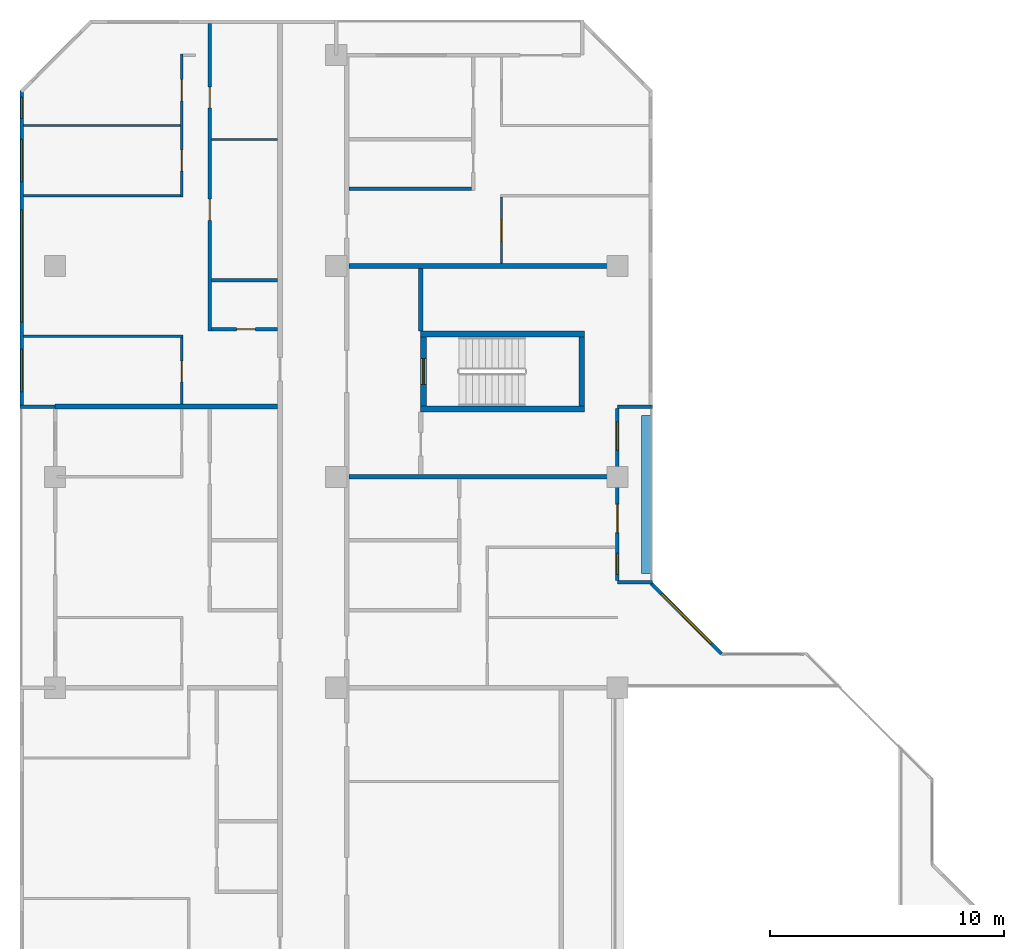
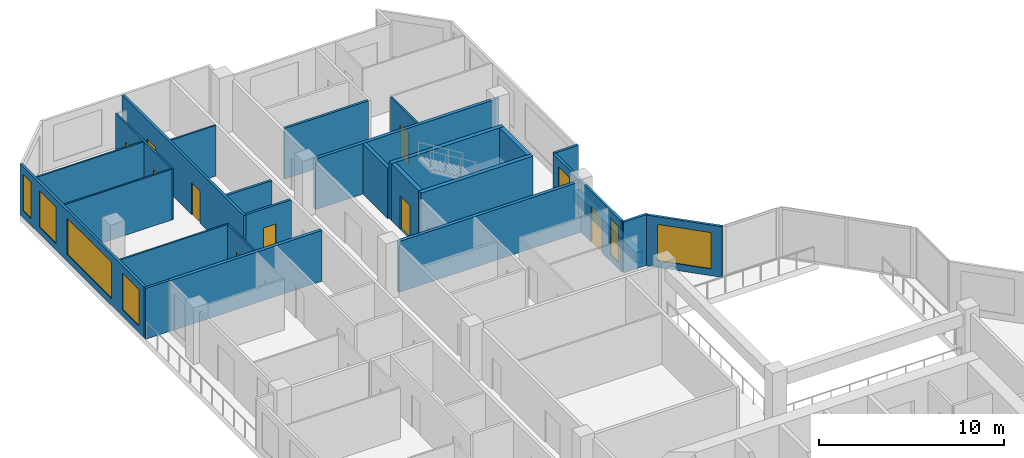
# One storey, part 10 of 15: 26 walls, 9 doors, 7 windows, 16 openings.
"""IFC4 building model written with IfcOpenShell, lengths in metres."""

import ifcopenshell
import ifcopenshell.guid

model = None  # the IFC model being written
_history = None  # IfcOwnerHistory: only IFC2X3 demands one
_inside = {}  # id of a spatial element -> (the spatial element, [elements in it])
_under = {}  # id of a project, library or spatial element -> (it, [spatial elements below it])
_declared = {}  # id of a project -> (the project, [libraries it declares])
_typed = {}  # id of a type object -> (the type object, [elements of that type])
_made_of = {}  # id of a material, layer set ... -> (it, [elements and type objects made of it])


def new_model(schema):
    """Start an empty IFC model of exactly this schema.

    Asked for "IFC4X3", IfcOpenShell would pick the latest addendum, in which some entities
    have other attributes; the version numbers below select the first issue.
    IFC2X3 requires an IfcOwnerHistory on every rooted entity: one is made here for all.
    """
    global model, _history
    if schema == "IFC4X3":
        model = ifcopenshell.file(schema_version=(4, 3, 0, 0))
    else:
        model = ifcopenshell.file(schema=schema)
    _inside.clear()
    _under.clear()
    _declared.clear()
    _typed.clear()
    _made_of.clear()
    _history = None
    if model.schema == "IFC2X3":
        org = make("IfcOrganization", Name="unknown")
        user = make(
            "IfcPersonAndOrganization",
            ThePerson=make("IfcPerson", FamilyName="unknown"),
            TheOrganization=org,
        )
        app = make(
            "IfcApplication",
            ApplicationDeveloper=org,
            Version="unknown",
            ApplicationFullName="unknown",
            ApplicationIdentifier="unknown",
        )
        _history = make(
            "IfcOwnerHistory",
            OwningUser=user,
            OwningApplication=app,
            ChangeAction="ADDED",
            CreationDate=0,
        )
    return model


def make(cls, **values):
    """One entity of the class cls with the attributes given. An attribute that is None is left unset."""
    return model.create_entity(
        cls, **{name: value for name, value in values.items() if value is not None}
    )


def rooted(cls, **values):
    """An entity with a GlobalId (a new one), such as an element, a storey or a relation."""
    return make(cls, GlobalId=ifcopenshell.guid.new(), OwnerHistory=_history, **values)


def si_unit(unit_type, name, prefix=None):
    """IfcSIUnit, for example si_unit("LENGTHUNIT", "METRE", prefix="MILLI")."""
    return make("IfcSIUnit", UnitType=unit_type, Prefix=prefix, Name=name)


def assignment(units):
    """IfcUnitAssignment: the units of a project."""
    return None if units is None else make("IfcUnitAssignment", Units=units)


def point(xyz):
    """IfcCartesianPoint."""
    return None if xyz is None else make("IfcCartesianPoint", Coordinates=xyz)


def direction(xyz):
    """IfcDirection."""
    return None if xyz is None else make("IfcDirection", DirectionRatios=xyz)


def frame(location, z_axis=None, x_axis=None):
    """IfcAxis2Placement3D, a coordinate frame: its origin and axes. An axis left out is left unset."""
    return make(
        "IfcAxis2Placement3D",
        Location=point(location),
        Axis=direction(z_axis),
        RefDirection=direction(x_axis),
    )


def frame_2d(location, x_axis=None):
    """IfcAxis2Placement2D, a coordinate frame in the plane: its origin and x axis."""
    return make(
        "IfcAxis2Placement2D", Location=point(location), RefDirection=direction(x_axis)
    )


def origin():
    """The frame at (0, 0, 0) with its axes left unset."""
    return frame((0.0, 0.0, 0.0))


def place(relative_to, where):
    """IfcLocalPlacement: puts the frame where relative to a parent placement (None: the world)."""
    return make(
        "IfcLocalPlacement", PlacementRelTo=relative_to, RelativePlacement=where
    )


def context(
    kind, dimensions, precision=None, world=None, true_north=None, identifier=None
):
    """IfcGeometricRepresentationContext, for example the 3D "Model" context."""
    return make(
        "IfcGeometricRepresentationContext",
        ContextIdentifier=identifier,
        ContextType=kind,
        CoordinateSpaceDimension=dimensions,
        Precision=precision,
        WorldCoordinateSystem=world,
        TrueNorth=true_north,
    )


def subcontext(parent, identifier, kind, view, scale=None):
    """IfcGeometricRepresentationSubContext, for example "Body" below "Model"."""
    return make(
        "IfcGeometricRepresentationSubContext",
        ContextIdentifier=identifier,
        ContextType=kind,
        ParentContext=parent,
        TargetScale=scale,
        TargetView=view,
    )


def project(units=None, contexts=None):
    """IfcProject with its units and contexts."""
    return rooted(
        "IfcProject",
        Name="project",
        RepresentationContexts=contexts,
        UnitsInContext=assignment(units),
    )


def spatial(cls, under=None, at=None, **own):
    """A site, building, storey or space (cls), placed at a placement, below another one or the project."""
    s = rooted(cls, ObjectPlacement=at, **own)
    if under is not None:
        _under.setdefault(under.id(), (under, []))[1].append(s)
    return s


def profile(cls, at=None, kind="AREA", **sizes):
    """A parametric profile (cls). Its sizes go by their IFC names, for example OverallWidth=200.0."""
    return make(cls, ProfileType=kind, Position=at, **sizes)


def rectangle(**sizes):
    """IfcRectangleProfileDef."""
    return profile("IfcRectangleProfileDef", **sizes)


def extrude(swept, where, along, depth):
    """IfcExtrudedAreaSolid: the profile swept, set in the frame where, extruded along a direction by depth."""
    return make(
        "IfcExtrudedAreaSolid",
        SweptArea=swept,
        Position=where,
        ExtrudedDirection=direction(along),
        Depth=depth,
    )


def shape(context_of_items, identifier, shape_type, items):
    """IfcShapeRepresentation: the items that make up one representation, for example the "Body"."""
    return make(
        "IfcShapeRepresentation",
        ContextOfItems=context_of_items,
        RepresentationIdentifier=identifier,
        RepresentationType=shape_type,
        Items=items,
    )


def material(Name=None, Category=None):
    """IfcMaterial."""
    return make("IfcMaterial", Name=Name, Category=Category)


def layer(
    of_material, thickness, ventilated=None, Name=None, Category=None, Priority=None
):
    """IfcMaterialLayer: one layer of a wall or slab, of a material (None: an air gap)."""
    return make(
        "IfcMaterialLayer",
        Material=of_material,
        LayerThickness=thickness,
        IsVentilated=ventilated,
        Name=Name,
        Category=Category,
        Priority=Priority,
    )


def layer_set(layers, Name=None):
    """IfcMaterialLayerSet."""
    return make("IfcMaterialLayerSet", MaterialLayers=layers, LayerSetName=Name)


def made_of(thing, what):
    """Note that an element or type object is made of a material, layer set ...; save() writes the relation."""
    if what is not None:
        _made_of.setdefault(what.id(), (what, []))[1].append(thing)
    return thing


def type_object(cls, material=None, **own):
    """A type object (cls), such as IfcWallType, which elements share."""
    return made_of(rooted(cls, **own), material)


def element(
    cls,
    number,
    at=None,
    inside=None,
    cuts=None,
    type_object=None,
    material=None,
    context=None,
    identifier="Body",
    shape_type=None,
    held_by="IfcProductDefinitionShape",
    body=None,
    shapes=None,
    **own,
):
    """One element of the class cls, such as IfcWall. Its Tag is "e" and its number.

    at: its placement. inside: the storey or other place that contains it. cuts: it is an
    opening in that element (IfcRelVoidsElement). A single representation is given by context,
    identifier, shape_type and body (its items); several are given by shapes. held_by: the class
    of the entity that holds the representations. save() writes the other relations.
    """
    e = rooted(cls, Tag="e%d" % number, ObjectPlacement=at, **own)
    if body is not None:
        shapes = [shape(context, identifier, shape_type, body)]
    if shapes is not None:
        e.Representation = make(held_by, Representations=shapes)
    if inside is not None:
        _inside.setdefault(inside.id(), (inside, []))[1].append(e)
    if cuts is not None:
        rooted(
            "IfcRelVoidsElement", RelatingBuildingElement=cuts, RelatedOpeningElement=e
        )
    if type_object is not None:
        _typed.setdefault(type_object.id(), (type_object, []))[1].append(e)
    return made_of(e, material)


def fill(opening, filler):
    """IfcRelFillsElement: the door or window that sits in an opening."""
    return rooted(
        "IfcRelFillsElement",
        RelatingOpeningElement=opening,
        RelatedBuildingElement=filler,
    )


def aggregate(whole, parts):
    """IfcRelAggregates: a whole, such as a stair, and the parts it consists of."""
    return rooted("IfcRelAggregates", RelatingObject=whole, RelatedObjects=parts)


def save(model, path):
    """Write the relations noted so far, then the file.

    IfcRelAggregates (storeys below a building ...), IfcRelContainedInSpatialStructure (elements
    in a storey), IfcRelDefinesByType, IfcRelAssociatesMaterial and IfcRelDeclares: one each for
    every whole, place, type object, material and project.
    """
    for whole, parts in _under.values():
        aggregate(whole, parts)
    for where, things in _inside.values():
        rooted(
            "IfcRelContainedInSpatialStructure",
            RelatedElements=things,
            RelatingStructure=where,
        )
    for kind, things in _typed.values():
        rooted("IfcRelDefinesByType", RelatedObjects=things, RelatingType=kind)
    for what, things in _made_of.values():
        rooted("IfcRelAssociatesMaterial", RelatedObjects=things, RelatingMaterial=what)
    for by, libraries in _declared.values():
        rooted("IfcRelDeclares", RelatingContext=by, RelatedDefinitions=libraries)
    model.write(path)


model = new_model("IFC4")

# Units and contexts
model_context = context("Model", 3, precision=1e-05, world=origin(), true_north=direction((0.0, 1.0)))
body_context = subcontext(model_context, "Body", "Model", "MODEL_VIEW")
ifc_project = project(units=[si_unit("LENGTHUNIT", "METRE"), si_unit("AREAUNIT", "SQUARE_METRE"), si_unit("VOLUMEUNIT", "CUBIC_METRE"), si_unit("PLANEANGLEUNIT", "RADIAN"), si_unit("MASSUNIT", "GRAM", prefix="KILO")], contexts=[model_context])

# Site, building, storey
site_placement = place(None, origin())
site = spatial("IfcSite", under=ifc_project, at=site_placement, CompositionType="ELEMENT")
building_placement = place(site_placement, origin())
building = spatial("IfcBuilding", under=site, at=building_placement, Name="Chenar Terraces", CompositionType="ELEMENT")
storey_placement = place(building_placement, frame((0.0, 0.0, 198.64990234375)))
storey = spatial("IfcBuildingStorey", under=building, at=storey_placement, Name="L46", CompositionType="ELEMENT", Elevation=198.64990234375)

# Walls
ifc_material_1 = material(Name="Concrete C60/75", Category="concrete")
ifc_layer_1 = layer(ifc_material_1, 0.25)
ifc_layer_set_1 = layer_set([ifc_layer_1], Name="Concrete C60/75")
wall_type_1 = type_object("IfcWallType", Name="Core wall 250 Concrete C60/75", PredefinedType="SHEAR", material=ifc_layer_set_1)
for number, where, z_axis, x_axis, name in (
    (1, (15.60009765625, 47.89990234375, 0.0), (0.0, 0.0, 1.0), (1.0, 0.0, 0.0), "Core wall ST4_S L46"),
    (2, (15.60009765625, 51.10009765625, 0.0), (0.0, 0.0, 1.0), (1.0, 0.0, 0.0), "Core wall ST4_N L46"),
):
    element("IfcWall", number, at=place(storey_placement, frame(where, z_axis=z_axis, x_axis=x_axis)), inside=storey, type_object=wall_type_1, Name=name, PredefinedType="SHEAR", context=body_context, shape_type="SweptSolid", body=[
        extrude(rectangle(XDim=7.0, YDim=0.25, at=frame_2d((3.5, 0.0))), origin(), (0.0, 0.0, 1.0), 3.75),
    ])

# Wall, opening, door
wall_1_placement = place(storey_placement, frame((15.72509765625, 48.02490234375, 0.0), z_axis=(0.0, 0.0, 1.0), x_axis=(0.0, 1.0, 0.0)))
wall_1 = element("IfcWall", 3, at=wall_1_placement, inside=storey, type_object=wall_type_1, Name="Core wall ST4_W L46", PredefinedType="SHEAR", context=body_context, shape_type="SweptSolid", body=[
    extrude(rectangle(XDim=2.9501953125, YDim=0.25, at=frame_2d((1.47509765625, 0.0))), origin(), (0.0, 0.0, 1.0), 3.75),
])
opening_1_placement = place(wall_1_placement, frame((0.925048828125, 0.0, 0.0)))
opening_1 = element("IfcOpeningElement", 4, at=opening_1_placement, cuts=wall_1, Name="Opening DL46-C9", PredefinedType="OPENING", context=body_context, shape_type="SweptSolid", body=[
    extrude(rectangle(XDim=1.10009765625, YDim=2.199951171875, at=frame_2d((0.550048828125, 1.10009765625))), frame((0.0, 0.135009765625, 0.0), z_axis=(0.0, -1.0, 0.0), x_axis=(1.0, 0.0, 0.0)), (0.0, 0.0, 1.0), 0.27001953125),
])
ifc_material_2 = material(Name="Steel-framed fire-resisting door leaf", Category="steel")
door_type_1 = type_object("IfcDoorType", Name="Stair fire door FD60 1100 x 2200", OperationType="SINGLE_SWING_LEFT", PredefinedType="DOOR", material=ifc_material_2)
door_1_placement = place(opening_1_placement, frame((1.10009765625, 0.0, 0.0), z_axis=(0.0, 0.0, 1.0), x_axis=(-1.0, 0.0, 0.0)))
door_1 = element("IfcDoor", 5, at=door_1_placement, inside=storey, type_object=door_type_1, Name="Stair door DL46-C9", OperationType="SINGLE_SWING_RIGHT", OverallHeight=2.199951171875, OverallWidth=1.10009765625, PredefinedType="DOOR", context=body_context, shape_type="SweptSolid", body=[
    extrude(rectangle(XDim=1.10009765625, YDim=2.199951171875, at=frame_2d((0.550048828125, 1.10009765625))), frame((0.0, 0.02490234375, 0.0), z_axis=(0.0, -1.0, 0.0), x_axis=(1.0, 0.0, 0.0)), (0.0, 0.0, 1.0), 0.050048828125),
])
fill(opening_1, door_1)

# Walls
wall_2_placement = place(storey_placement, frame((22.47509765625, 48.02490234375, 0.0), z_axis=(0.0, 0.0, 1.0), x_axis=(0.0, 1.0, 0.0)))
element("IfcWall", 6, at=wall_2_placement, inside=storey, type_object=wall_type_1, Name="Core wall ST4_E L46", PredefinedType="SHEAR", context=body_context, shape_type="SweptSolid", body=[
    extrude(rectangle(XDim=2.9501953125, YDim=0.25, at=frame_2d((1.47509765625, 0.0))), origin(), (0.0, 0.0, 1.0), 3.75),
])
ifc_material_3 = material(Name="Gypsum board on steel studs with fire boards", Category="steel")
ifc_layer_2 = layer(ifc_material_3, 0.199951171875)
ifc_layer_set_2 = layer_set([ifc_layer_2], Name="Gypsum board on steel studs with fire boards")
wall_type_2 = type_object("IfcWallType", Name="Corridor wall 200", PredefinedType="PARTITIONING", material=ifc_layer_set_2)
wall_3_placement = place(storey_placement, frame((15.60009765625, 51.22509765625, 0.0), z_axis=(0.0, 0.0, 1.0), x_axis=(0.0, 1.0, 0.0)))
element("IfcWall", 7, at=wall_3_placement, inside=storey, type_object=wall_type_2, Name="Partition L46-048", PredefinedType="PARTITIONING", context=body_context, shape_type="SweptSolid", body=[
    extrude(rectangle(XDim=2.6748046875, YDim=0.199951171875, at=frame_2d((1.33740234375, 0.0))), origin(), (0.0, 0.0, 1.0), 3.35009765625),
])

# Wall, openings, windows
ifc_material_4 = material(Name="Aluminium framed glazing", Category="aluminium")
ifc_layer_3 = layer(ifc_material_4, 0.14990234375)
ifc_layer_set_3 = layer_set([ifc_layer_3], Name="Aluminium framed glazing")
wall_type_3 = type_object("IfcWallType", Name="Glazed flush facade wall 150", PredefinedType="SOLIDWALL", material=ifc_layer_set_3)
wall_4_placement = place(storey_placement, frame((-1.425048828125, 61.5, 0.0), z_axis=(0.0, 0.0, 1.0), x_axis=(0.0, -1.0, 0.0)))
wall_4 = element("IfcWall", 8, at=wall_4_placement, inside=storey, type_object=wall_type_3, Name="Glazed flush facade wall", PredefinedType="SOLIDWALL", context=body_context, shape_type="SweptSolid", body=[
    extrude(rectangle(XDim=13.425048828125, YDim=0.14990234375, at=frame_2d((6.71240234375, 0.0))), origin(), (0.0, 0.0, 1.0), 3.35009765625),
])
opening_2_placement = place(wall_4_placement, frame((0.300048828125, 0.0, 0.449951171875)))
opening_2 = element("IfcOpeningElement", 9, at=opening_2_placement, cuts=wall_4, Name="Opening W90x240", PredefinedType="OPENING", context=body_context, shape_type="SweptSolid", body=[
    extrude(rectangle(XDim=0.89990234375, YDim=2.39990234375, at=frame_2d((0.449951171875, 1.199951171875))), frame((0.0, 0.0849609375, 0.0), z_axis=(0.0, -1.0, 0.0), x_axis=(1.0, 0.0, 0.0)), (0.0, 0.0, 1.0), 0.169921875),
])
opening_3_placement = place(wall_4_placement, frame((2.10009765625, 0.0, 0.449951171875)))
opening_3 = element("IfcOpeningElement", 10, at=opening_3_placement, cuts=wall_4, Name="Opening W180x240", PredefinedType="OPENING", context=body_context, shape_type="SweptSolid", body=[
    extrude(rectangle(XDim=1.800048828125, YDim=2.39990234375, at=frame_2d((0.89990234375, 1.199951171875))), frame((0.0, 0.0849609375, 0.0), z_axis=(0.0, -1.0, 0.0), x_axis=(1.0, 0.0, 0.0)), (0.0, 0.0, 1.0), 0.169921875),
])
opening_4_placement = place(wall_4_placement, frame((5.10009765625, 0.0, 0.449951171875)))
opening_4 = element("IfcOpeningElement", 11, at=opening_4_placement, cuts=wall_4, Name="Opening W480x240", PredefinedType="OPENING", context=body_context, shape_type="SweptSolid", body=[
    extrude(rectangle(XDim=4.800048828125, YDim=2.39990234375, at=frame_2d((2.39990234375, 1.199951171875))), frame((0.0, 0.0849609375, 0.0), z_axis=(0.0, -1.0, 0.0), x_axis=(1.0, 0.0, 0.0)), (0.0, 0.0, 1.0), 0.169921875),
])
opening_5_placement = place(wall_4_placement, frame((11.0625, 0.0, 0.449951171875)))
opening_5 = element("IfcOpeningElement", 12, at=opening_5_placement, cuts=wall_4, Name="Opening W180x240", PredefinedType="OPENING", context=body_context, shape_type="SweptSolid", body=[
    extrude(rectangle(XDim=1.800048828125, YDim=2.39990234375, at=frame_2d((0.89990234375, 1.199951171875))), frame((0.0, 0.0849609375, 0.0), z_axis=(0.0, -1.0, 0.0), x_axis=(1.0, 0.0, 0.0)), (0.0, 0.0, 1.0), 0.169921875),
])
ifc_material_5 = material(Name="Low emissivity double glazing, aluminium frame", Category="aluminium")
window_type_1 = type_object("IfcWindowType", Name="Fixed light 1800 x 2400", PartitioningType="SINGLE_PANEL", PredefinedType="WINDOW", material=ifc_material_5)
window_1_placement = place(opening_3_placement, origin())
window_1 = element("IfcWindow", 13, at=window_1_placement, inside=storey, type_object=window_type_1, Name="Window", OverallHeight=2.39990234375, OverallWidth=1.800048828125, PartitioningType="SINGLE_PANEL", PredefinedType="WINDOW", context=body_context, shape_type="SweptSolid", body=[
    extrude(rectangle(XDim=1.800048828125, YDim=2.39990234375, at=frame_2d((0.89990234375, 1.199951171875))), frame((0.0, 0.030029296875, 0.0), z_axis=(0.0, -1.0, 0.0), x_axis=(1.0, 0.0, 0.0)), (0.0, 0.0, 1.0), 0.06005859375),
])
fill(opening_3, window_1)
window_2_placement = place(opening_5_placement, origin())
window_2 = element("IfcWindow", 14, at=window_2_placement, inside=storey, type_object=window_type_1, Name="Window", OverallHeight=2.39990234375, OverallWidth=1.800048828125, PartitioningType="SINGLE_PANEL", PredefinedType="WINDOW", context=body_context, shape_type="SweptSolid", body=[
    extrude(rectangle(XDim=1.800048828125, YDim=2.39990234375, at=frame_2d((0.89990234375, 1.199951171875))), frame((0.0, 0.030029296875, 0.0), z_axis=(0.0, -1.0, 0.0), x_axis=(1.0, 0.0, 0.0)), (0.0, 0.0, 1.0), 0.06005859375),
])
fill(opening_5, window_2)
ifc_material_6 = material(Name="Low emissivity double glazing, aluminium frame", Category="aluminium")
window_type_2 = type_object("IfcWindowType", Name="Fixed light 4800 x 2400", PartitioningType="SINGLE_PANEL", PredefinedType="WINDOW", material=ifc_material_6)
window_3_placement = place(opening_4_placement, origin())
window_3 = element("IfcWindow", 15, at=window_3_placement, inside=storey, type_object=window_type_2, Name="Window", OverallHeight=2.39990234375, OverallWidth=4.800048828125, PartitioningType="SINGLE_PANEL", PredefinedType="WINDOW", context=body_context, shape_type="SweptSolid", body=[
    extrude(rectangle(XDim=4.800048828125, YDim=2.39990234375, at=frame_2d((2.39990234375, 1.199951171875))), frame((0.0, 0.030029296875, 0.0), z_axis=(0.0, -1.0, 0.0), x_axis=(1.0, 0.0, 0.0)), (0.0, 0.0, 1.0), 0.06005859375),
])
fill(opening_4, window_3)
ifc_material_7 = material(Name="Low emissivity double glazing, aluminium frame", Category="aluminium")
window_type_3 = type_object("IfcWindowType", Name="Fixed light 900 x 2400", PartitioningType="SINGLE_PANEL", PredefinedType="WINDOW", material=ifc_material_7)
window_4_placement = place(opening_2_placement, origin())
window_4 = element("IfcWindow", 16, at=window_4_placement, inside=storey, type_object=window_type_3, Name="Window", OverallHeight=2.39990234375, OverallWidth=0.89990234375, PartitioningType="SINGLE_PANEL", PredefinedType="WINDOW", context=body_context, shape_type="SweptSolid", body=[
    extrude(rectangle(XDim=0.89990234375, YDim=2.39990234375, at=frame_2d((0.449951171875, 1.199951171875))), frame((0.0, 0.030029296875, 0.0), z_axis=(0.0, -1.0, 0.0), x_axis=(1.0, 0.0, 0.0)), (0.0, 0.0, 1.0), 0.06005859375),
])
fill(opening_2, window_4)

# Wall, openings, windows, door
ifc_material_8 = material(Name="Aluminium framed glazing", Category="aluminium")
ifc_layer_4 = layer(ifc_material_8, 0.14990234375)
ifc_layer_set_4 = layer_set([ifc_layer_4], Name="Aluminium framed glazing")
wall_type_4 = type_object("IfcWallType", Name="Glazed loggia back wall 150", PredefinedType="SOLIDWALL", material=ifc_layer_set_4)
wall_5_placement = place(storey_placement, frame((24.0, 40.574951171875, 0.0), z_axis=(0.0, 0.0, 1.0), x_axis=(0.0, 1.0, 0.0)))
wall_5 = element("IfcWall", 17, at=wall_5_placement, inside=storey, type_object=wall_type_4, Name="Glazed loggia back wall", PredefinedType="SOLIDWALL", context=body_context, shape_type="SweptSolid", body=[
    extrude(rectangle(XDim=7.35009765625, YDim=0.14990234375, at=frame_2d((3.675048828125, 0.0))), origin(), (0.0, 0.0, 1.0), 3.35009765625),
])
opening_6_placement = place(wall_5_placement, frame((0.262451171875, 0.0, 0.449951171875)))
opening_6 = element("IfcOpeningElement", 18, at=opening_6_placement, cuts=wall_5, Name="Opening W90x240", PredefinedType="OPENING", context=body_context, shape_type="SweptSolid", body=[
    extrude(rectangle(XDim=0.89990234375, YDim=2.39990234375, at=frame_2d((0.449951171875, 1.199951171875))), frame((0.0, 0.0849609375, 0.0), z_axis=(0.0, -1.0, 0.0), x_axis=(1.0, 0.0, 0.0)), (0.0, 0.0, 1.0), 0.169921875),
])
opening_7_placement = place(wall_5_placement, frame((2.050048828125, 0.0, 0.0)))
opening_7 = element("IfcOpeningElement", 19, at=opening_7_placement, cuts=wall_5, Name="Opening DL46-G1", PredefinedType="OPENING", context=body_context, shape_type="SweptSolid", body=[
    extrude(rectangle(XDim=1.199951171875, YDim=2.39990234375, at=frame_2d((0.60009765625, 1.199951171875))), frame((0.0, 0.0849609375, 0.0), z_axis=(0.0, -1.0, 0.0), x_axis=(1.0, 0.0, 0.0)), (0.0, 0.0, 1.0), 0.169921875),
])
opening_8_placement = place(wall_5_placement, frame((5.5625, 0.0, 0.449951171875)))
opening_8 = element("IfcOpeningElement", 20, at=opening_8_placement, cuts=wall_5, Name="Opening W120x240", PredefinedType="OPENING", context=body_context, shape_type="SweptSolid", body=[
    extrude(rectangle(XDim=1.199951171875, YDim=2.39990234375, at=frame_2d((0.60009765625, 1.199951171875))), frame((0.0, 0.0849609375, 0.0), z_axis=(0.0, -1.0, 0.0), x_axis=(1.0, 0.0, 0.0)), (0.0, 0.0, 1.0), 0.169921875),
])
ifc_material_9 = material(Name="Low emissivity double glazing, aluminium frame", Category="aluminium")
window_type_4 = type_object("IfcWindowType", Name="Fixed light 1200 x 2400", PartitioningType="SINGLE_PANEL", PredefinedType="WINDOW", material=ifc_material_9)
window_5_placement = place(opening_8_placement, origin())
window_5 = element("IfcWindow", 21, at=window_5_placement, inside=storey, type_object=window_type_4, Name="Window", OverallHeight=2.39990234375, OverallWidth=1.199951171875, PartitioningType="SINGLE_PANEL", PredefinedType="WINDOW", context=body_context, shape_type="SweptSolid", body=[
    extrude(rectangle(XDim=1.199951171875, YDim=2.39990234375, at=frame_2d((0.60009765625, 1.199951171875))), frame((0.0, 0.030029296875, 0.0), z_axis=(0.0, -1.0, 0.0), x_axis=(1.0, 0.0, 0.0)), (0.0, 0.0, 1.0), 0.06005859375),
])
fill(opening_8, window_5)
window_6_placement = place(opening_6_placement, origin())
window_6 = element("IfcWindow", 22, at=window_6_placement, inside=storey, type_object=window_type_3, Name="Window", OverallHeight=2.39990234375, OverallWidth=0.89990234375, PartitioningType="SINGLE_PANEL", PredefinedType="WINDOW", context=body_context, shape_type="SweptSolid", body=[
    extrude(rectangle(XDim=0.89990234375, YDim=2.39990234375, at=frame_2d((0.449951171875, 1.199951171875))), frame((0.0, 0.030029296875, 0.0), z_axis=(0.0, -1.0, 0.0), x_axis=(1.0, 0.0, 0.0)), (0.0, 0.0, 1.0), 0.06005859375),
])
fill(opening_6, window_6)
ifc_material_10 = material(Name="Low emissivity double glazing, aluminium frame", Category="aluminium")
door_type_2 = type_object("IfcDoorType", Name="Loggia glazed double door 1200 x 2400", OperationType="DOUBLE_DOOR_SINGLE_SWING", PredefinedType="DOOR", material=ifc_material_10)
door_2_placement = place(opening_7_placement, frame((1.199951171875, 0.0, 0.0), z_axis=(0.0, 0.0, 1.0), x_axis=(-1.0, 0.0, 0.0)))
door_2 = element("IfcDoor", 23, at=door_2_placement, inside=storey, type_object=door_type_2, Name="Loggia glazed door", OperationType="DOUBLE_DOOR_SINGLE_SWING", OverallHeight=2.39990234375, OverallWidth=1.199951171875, PredefinedType="DOOR", context=body_context, shape_type="SweptSolid", body=[
    extrude(rectangle(XDim=1.199951171875, YDim=2.39990234375, at=frame_2d((0.60009765625, 1.199951171875))), frame((0.0, 0.02490234375, 0.0), z_axis=(0.0, -1.0, 0.0), x_axis=(1.0, 0.0, 0.0)), (0.0, 0.0, 1.0), 0.050048828125),
])
fill(opening_7, door_2)

# Walls
ifc_material_11 = material(Name="Gypsum board on steel studs", Category="steel")
ifc_layer_5 = layer(ifc_material_11, 0.10009765625)
ifc_layer_set_5 = layer_set([ifc_layer_5], Name="Gypsum board on steel studs")
wall_type_5 = type_object("IfcWallType", Name="Gypsum partition 100", PredefinedType="PARTITIONING", material=ifc_layer_set_5)
wall_6_placement = place(storey_placement, frame((-1.35107421875, 60.0, 0.0), z_axis=(0.0, 0.0, 1.0), x_axis=(1.0, 0.0, 0.0)))
element("IfcWall", 24, at=wall_6_placement, inside=storey, type_object=wall_type_5, Name="Partition L46-001", PredefinedType="PARTITIONING", context=body_context, shape_type="SweptSolid", body=[
    extrude(rectangle(XDim=6.701171875, YDim=0.10009765625, at=frame_2d((3.3505859375, 0.0))), origin(), (0.0, 0.0, 1.0), 3.35009765625),
])
wall_7_placement = place(storey_placement, frame((-1.35009765625, 51.0, 0.0), z_axis=(0.0, 0.0, 1.0), x_axis=(1.0, 0.0, 0.0)))
element("IfcWall", 25, at=wall_7_placement, inside=storey, type_object=wall_type_5, Name="Partition L46-006", PredefinedType="PARTITIONING", context=body_context, shape_type="SweptSolid", body=[
    extrude(rectangle(XDim=6.800048828125, YDim=0.10009765625, at=frame_2d((3.39990234375, 0.0))), origin(), (0.0, 0.0, 1.0), 3.35009765625),
])
wall_8_placement = place(storey_placement, frame((-1.35009765625, 57.0, 0.0), z_axis=(0.0, 0.0, 1.0), x_axis=(1.0, 0.0, 0.0)))
element("IfcWall", 26, at=wall_8_placement, inside=storey, type_object=wall_type_5, Name="Partition L46-007", PredefinedType="PARTITIONING", context=body_context, shape_type="SweptSolid", body=[
    extrude(rectangle(XDim=6.7001953125, YDim=0.10009765625, at=frame_2d((3.35009765625, 0.0))), origin(), (0.0, 0.0, 1.0), 3.35009765625),
])

# Wall, opening, door
wall_9_placement = place(storey_placement, frame((5.39990234375, 48.10009765625, 0.0), z_axis=(0.0, 0.0, 1.0), x_axis=(0.0, 1.0, 0.0)))
wall_9 = element("IfcWall", 27, at=wall_9_placement, inside=storey, type_object=wall_type_5, Name="Partition L46-015", PredefinedType="PARTITIONING", context=body_context, shape_type="SweptSolid", body=[
    extrude(rectangle(XDim=2.849853515625, YDim=0.10009765625, at=frame_2d((1.4248046875, 0.0))), origin(), (0.0, 0.0, 1.0), 3.35009765625),
])
opening_9_placement = place(wall_9_placement, frame((0.949951171875, 0.0, 0.0)))
opening_9 = element("IfcOpeningElement", 28, at=opening_9_placement, cuts=wall_9, Name="Opening DL46-31", PredefinedType="OPENING", context=body_context, shape_type="SweptSolid", body=[
    extrude(rectangle(XDim=0.89990234375, YDim=2.10009765625, at=frame_2d((0.449951171875, 1.050048828125))), frame((0.0, 0.06005859375, 0.0), z_axis=(0.0, -1.0, 0.0), x_axis=(1.0, 0.0, 0.0)), (0.0, 0.0, 1.0), 0.1201171875),
])
ifc_material_12 = material(Name="Veneered timber door leaf", Category="wood")
door_type_3 = type_object("IfcDoorType", Name="Door 900 x 2100", OperationType="SINGLE_SWING_LEFT", PredefinedType="DOOR", material=ifc_material_12)
door_3_placement = place(opening_9_placement, origin())
door_3 = element("IfcDoor", 29, at=door_3_placement, inside=storey, type_object=door_type_3, Name="Door DL46-31", OperationType="SINGLE_SWING_RIGHT", OverallHeight=2.10009765625, OverallWidth=0.89990234375, PredefinedType="DOOR", context=body_context, shape_type="SweptSolid", body=[
    extrude(rectangle(XDim=0.89990234375, YDim=2.10009765625, at=frame_2d((0.449951171875, 1.050048828125))), frame((0.0, 0.02490234375, 0.0), z_axis=(0.0, -1.0, 0.0), x_axis=(1.0, 0.0, 0.0)), (0.0, 0.0, 1.0), 0.050048828125),
])
fill(opening_9, door_3)

# Wall, openings, doors
wall_10_placement = place(storey_placement, frame((5.39990234375, 56.949951171875, 0.0), z_axis=(0.0, 0.0, 1.0), x_axis=(0.0, 1.0, 0.0)))
wall_10 = element("IfcWall", 30, at=wall_10_placement, inside=storey, type_object=wall_type_5, Name="Partition L46-016", PredefinedType="PARTITIONING", context=body_context, shape_type="SweptSolid", body=[
    extrude(rectangle(XDim=6.10009765625, YDim=0.10009765625, at=frame_2d((3.050048828125, 0.0))), origin(), (0.0, 0.0, 1.0), 3.35009765625),
])
opening_10_placement = place(wall_10_placement, frame((1.10009765625, 0.0, 0.0)))
opening_10 = element("IfcOpeningElement", 31, at=opening_10_placement, cuts=wall_10, Name="Opening DL46-32", PredefinedType="OPENING", context=body_context, shape_type="SweptSolid", body=[
    extrude(rectangle(XDim=0.89990234375, YDim=2.10009765625, at=frame_2d((0.449951171875, 1.050048828125))), frame((0.0, 0.06005859375, 0.0), z_axis=(0.0, -1.0, 0.0), x_axis=(1.0, 0.0, 0.0)), (0.0, 0.0, 1.0), 0.1201171875),
])
opening_11_placement = place(wall_10_placement, frame((4.10009765625, 0.0, 0.0)))
opening_11 = element("IfcOpeningElement", 32, at=opening_11_placement, cuts=wall_10, Name="Opening DL46-33", PredefinedType="OPENING", context=body_context, shape_type="SweptSolid", body=[
    extrude(rectangle(XDim=0.89990234375, YDim=2.10009765625, at=frame_2d((0.449951171875, 1.050048828125))), frame((0.0, 0.06005859375, 0.0), z_axis=(0.0, -1.0, 0.0), x_axis=(1.0, 0.0, 0.0)), (0.0, 0.0, 1.0), 0.1201171875),
])
door_4_placement = place(opening_10_placement, origin())
door_4 = element("IfcDoor", 33, at=door_4_placement, inside=storey, type_object=door_type_3, Name="Door DL46-32", OperationType="SINGLE_SWING_LEFT", OverallHeight=2.10009765625, OverallWidth=0.89990234375, PredefinedType="DOOR", context=body_context, shape_type="SweptSolid", body=[
    extrude(rectangle(XDim=0.89990234375, YDim=2.10009765625, at=frame_2d((0.449951171875, 1.050048828125))), frame((0.0, 0.02490234375, 0.0), z_axis=(0.0, -1.0, 0.0), x_axis=(1.0, 0.0, 0.0)), (0.0, 0.0, 1.0), 0.050048828125),
])
fill(opening_10, door_4)
door_5_placement = place(opening_11_placement, origin())
door_5 = element("IfcDoor", 34, at=door_5_placement, inside=storey, type_object=door_type_3, Name="Door DL46-33", OperationType="SINGLE_SWING_LEFT", OverallHeight=2.10009765625, OverallWidth=0.89990234375, PredefinedType="DOOR", context=body_context, shape_type="SweptSolid", body=[
    extrude(rectangle(XDim=0.89990234375, YDim=2.10009765625, at=frame_2d((0.449951171875, 1.050048828125))), frame((0.0, 0.02490234375, 0.0), z_axis=(0.0, -1.0, 0.0), x_axis=(1.0, 0.0, 0.0)), (0.0, 0.0, 1.0), 0.050048828125),
])
fill(opening_11, door_5)

# Wall
wall_11_placement = place(storey_placement, frame((6.675048828125, 59.39990234375, 0.0), z_axis=(0.0, 0.0, 1.0), x_axis=(1.0, 0.0, 0.0)))
element("IfcWall", 35, at=wall_11_placement, inside=storey, type_object=wall_type_5, Name="Partition L46-027", PredefinedType="PARTITIONING", context=body_context, shape_type="SweptSolid", body=[
    extrude(rectangle(XDim=2.824951171875, YDim=0.10009765625, at=frame_2d((1.41259765625, 0.0))), origin(), (0.0, 0.0, 1.0), 3.35009765625),
])

# Wall, opening, door
wall_12_placement = place(storey_placement, frame((19.050048828125, 54.10009765625, 0.0), z_axis=(0.0, 0.0, 1.0), x_axis=(0.0, 1.0, 0.0)))
wall_12 = element("IfcWall", 36, at=wall_12_placement, inside=storey, type_object=wall_type_5, Name="Partition L46-056", PredefinedType="PARTITIONING", context=body_context, shape_type="SweptSolid", body=[
    extrude(rectangle(XDim=2.849853515625, YDim=0.10009765625, at=frame_2d((1.4248046875, 0.0))), origin(), (0.0, 0.0, 1.0), 3.35009765625),
])
opening_12_placement = place(wall_12_placement, frame((0.949951171875, 0.0, 0.0)))
opening_12 = element("IfcOpeningElement", 37, at=opening_12_placement, cuts=wall_12, Name="Opening DL46-21", PredefinedType="OPENING", context=body_context, shape_type="SweptSolid", body=[
    extrude(rectangle(XDim=0.89990234375, YDim=2.10009765625, at=frame_2d((0.449951171875, 1.050048828125))), frame((0.0, 0.06005859375, 0.0), z_axis=(0.0, -1.0, 0.0), x_axis=(1.0, 0.0, 0.0)), (0.0, 0.0, 1.0), 0.1201171875),
])
door_6_placement = place(opening_12_placement, frame((0.89990234375, 0.0, 0.0), z_axis=(0.0, 0.0, 1.0), x_axis=(-1.0, 0.0, 0.0)))
door_6 = element("IfcDoor", 38, at=door_6_placement, inside=storey, type_object=door_type_3, Name="Door DL46-21", OperationType="SINGLE_SWING_LEFT", OverallHeight=2.10009765625, OverallWidth=0.89990234375, PredefinedType="DOOR", context=body_context, shape_type="SweptSolid", body=[
    extrude(rectangle(XDim=0.89990234375, YDim=2.10009765625, at=frame_2d((0.449951171875, 1.050048828125))), frame((0.0, 0.02490234375, 0.0), z_axis=(0.0, -1.0, 0.0), x_axis=(1.0, 0.0, 0.0)), (0.0, 0.0, 1.0), 0.050048828125),
])
fill(opening_12, door_6)

# Walls
ifc_material_13 = material(Name="Terracotta cladding on insulated backing", Category="masonry")
ifc_layer_6 = layer(ifc_material_13, 0.14990234375)
ifc_layer_set_6 = layer_set([ifc_layer_6], Name="Terracotta cladding on insulated backing")
wall_type_6 = type_object("IfcWallType", Name="Loggia return wall 150", PredefinedType="SOLIDWALL", material=ifc_layer_set_6)
for number, where, z_axis, x_axis, name in (
    (39, (25.5, 40.5, 0.0), (0.0, 0.0, 1.0), (-1.0, 0.0, 0.0), "Loggia return wall"),
    (40, (25.5, 48.0, 0.0), (0.0, 0.0, 1.0), (-1.0, 0.0, 0.0), "Loggia return wall"),
    (41, (-1.5, 48.0, 0.0), (0.0, 0.0, 1.0), (1.0, 0.0, 0.0), "Loggia return wall"),
):
    element("IfcWall", number, at=place(storey_placement, frame(where, z_axis=z_axis, x_axis=x_axis)), inside=storey, type_object=wall_type_6, Name=name, PredefinedType="SOLIDWALL", context=body_context, shape_type="SweptSolid", body=[
        extrude(rectangle(XDim=1.5, YDim=0.14990234375, at=frame_2d((0.75, 0.0))), origin(), (0.0, 0.0, 1.0), 3.35009765625),
    ])

# Wall, opening, window
ifc_material_14 = material(Name="Terracotta cladding on insulated backing", Category="masonry")
ifc_layer_7 = layer(ifc_material_14, 0.14990234375)
ifc_layer_set_7 = layer_set([ifc_layer_7], Name="Terracotta cladding on insulated backing")
wall_type_7 = type_object("IfcWallType", Name="Terracotta rainscreen wall 150", PredefinedType="SOLIDWALL", material=ifc_layer_set_7)
wall_13_placement = place(storey_placement, frame((28.447021484375, 37.447021484375, 0.0), z_axis=(0.0, 0.0, 1.0), x_axis=(-0.707106781187, 0.707106781187, 0.0)))
wall_13 = element("IfcWall", 42, at=wall_13_placement, inside=storey, type_object=wall_type_7, Name="Terracotta rainscreen wall", PredefinedType="SOLIDWALL", context=body_context, shape_type="SweptSolid", body=[
    extrude(rectangle(XDim=4.24267578125, YDim=0.14990234375, at=frame_2d((2.121337890625, 0.0))), origin(), (0.0, 0.0, 1.0), 3.35009765625),
])
opening_13_placement = place(wall_13_placement, frame((0.621337890625, 0.0, 0.449951171875)))
opening_13 = element("IfcOpeningElement", 43, at=opening_13_placement, cuts=wall_13, Name="Opening W300x240", PredefinedType="OPENING", context=body_context, shape_type="SweptSolid", body=[
    extrude(rectangle(XDim=3.0, YDim=2.39990234375, at=frame_2d((1.5, 1.199951171875))), frame((0.0, 0.0849609375, 0.0), z_axis=(0.0, -1.0, 0.0), x_axis=(1.0, 0.0, 0.0)), (0.0, 0.0, 1.0), 0.169921875),
])
ifc_material_15 = material(Name="Low emissivity double glazing, aluminium frame", Category="aluminium")
window_type_5 = type_object("IfcWindowType", Name="Fixed light 3000 x 2400", PartitioningType="SINGLE_PANEL", PredefinedType="WINDOW", material=ifc_material_15)
window_7_placement = place(opening_13_placement, origin())
window_7 = element("IfcWindow", 44, at=window_7_placement, inside=storey, type_object=window_type_5, Name="Window", OverallHeight=2.39990234375, OverallWidth=3.0, PartitioningType="SINGLE_PANEL", PredefinedType="WINDOW", context=body_context, shape_type="SweptSolid", body=[
    extrude(rectangle(XDim=3.0, YDim=2.39990234375, at=frame_2d((1.5, 1.199951171875))), frame((0.0, 0.030029296875, 0.0), z_axis=(0.0, -1.0, 0.0), x_axis=(1.0, 0.0, 0.0)), (0.0, 0.0, 1.0), 0.06005859375),
])
fill(opening_13, window_7)

# Walls
ifc_material_16 = material(Name="Twin gypsum board on steel studs with mineral wool", Category="steel")
ifc_layer_8 = layer(ifc_material_16, 0.199951171875)
ifc_layer_set_8 = layer_set([ifc_layer_8], Name="Twin gypsum board on steel studs with mineral wool")
wall_type_8 = type_object("IfcWallType", Name="Unit demising wall 200", PredefinedType="PARTITIONING", material=ifc_layer_set_8)
wall_14_placement = place(storey_placement, frame((0.0, 48.0, 0.0), z_axis=(0.0, 0.0, 1.0), x_axis=(1.0, 0.0, 0.0)))
element("IfcWall", 45, at=wall_14_placement, inside=storey, type_object=wall_type_8, Name="Partition L46-005", PredefinedType="PARTITIONING", context=body_context, shape_type="SweptSolid", body=[
    extrude(rectangle(XDim=9.5, YDim=0.199951171875, at=frame_2d((4.75, 0.0))), origin(), (0.0, 0.0, 1.0), 3.35009765625),
])
wall_15_placement = place(storey_placement, frame((12.550048828125, 45.0, 0.0), z_axis=(0.0, 0.0, 1.0), x_axis=(1.0, 0.0, 0.0)))
element("IfcWall", 46, at=wall_15_placement, inside=storey, type_object=wall_type_8, Name="Partition L46-042", PredefinedType="PARTITIONING", context=body_context, shape_type="SweptSolid", body=[
    extrude(rectangle(XDim=11.3759765625, YDim=0.199951171875, at=frame_2d((5.68798828125, 0.0))), origin(), (0.0, 0.0, 1.0), 3.35009765625),
])
wall_16_placement = place(storey_placement, frame((12.550048828125, 54.0, 0.0), z_axis=(0.0, 0.0, 1.0), x_axis=(1.0, 0.0, 0.0)))
element("IfcWall", 47, at=wall_16_placement, inside=storey, type_object=wall_type_8, Name="Partition L46-043", PredefinedType="PARTITIONING", context=body_context, shape_type="SweptSolid", body=[
    extrude(rectangle(XDim=11.449951171875, YDim=0.199951171875, at=frame_2d((5.72509765625, 0.0))), origin(), (0.0, 0.0, 1.0), 3.35009765625),
])
ifc_material_17 = material(Name="GRP planter trough")
ifc_layer_9 = layer(ifc_material_17, 0.39990234375)
ifc_layer_set_9 = layer_set([ifc_layer_9], Name="GRP planter trough")
wall_type_9 = type_object("IfcWallType", Name="Vertical greenery planter 400", PredefinedType="SOLIDWALL", material=ifc_layer_set_9)
wall_17_placement = place(storey_placement, frame((25.22900390625, 40.875, 0.0), z_axis=(0.0, 0.0, 1.0), x_axis=(0.0, 1.0, 0.0)))
element("IfcWall", 48, at=wall_17_placement, inside=storey, type_object=wall_type_9, Name="Vertical greenery planter", PredefinedType="SOLIDWALL", context=body_context, shape_type="SweptSolid", body=[
    extrude(rectangle(XDim=6.75, YDim=0.39990234375, at=frame_2d((3.375, 0.0))), origin(), (0.0, 0.0, 1.0), 0.7001953125),
])

# Wall, openings, doors
ifc_material_18 = material(Name="Moisture-resistant gypsum board on steel studs", Category="steel")
ifc_layer_10 = layer(ifc_material_18, 0.14990234375)
ifc_layer_set_10 = layer_set([ifc_layer_10], Name="Moisture-resistant gypsum board on steel studs")
wall_type_10 = type_object("IfcWallType", Name="Wet-room partition 150", PredefinedType="PARTITIONING", material=ifc_layer_set_10)
wall_18_placement = place(storey_placement, frame((6.60009765625, 51.22509765625, 0.0), z_axis=(0.0, 0.0, 1.0), x_axis=(0.0, 1.0, 0.0)))
wall_18 = element("IfcWall", 49, at=wall_18_placement, inside=storey, type_object=wall_type_10, Name="Partition L46-022", PredefinedType="PARTITIONING", context=body_context, shape_type="SweptSolid", body=[
    extrude(rectangle(XDim=13.125, YDim=0.14990234375, at=frame_2d((6.5625, 0.0))), origin(), (0.0, 0.0, 1.0), 3.35009765625),
])
opening_14_placement = place(wall_18_placement, frame((4.72509765625, 0.0, 0.0)))
opening_14 = element("IfcOpeningElement", 50, at=opening_14_placement, cuts=wall_18, Name="Opening DL46-34", PredefinedType="OPENING", context=body_context, shape_type="SweptSolid", body=[
    extrude(rectangle(XDim=0.89990234375, YDim=2.10009765625, at=frame_2d((0.449951171875, 1.050048828125))), frame((0.0, 0.0849609375, 0.0), z_axis=(0.0, -1.0, 0.0), x_axis=(1.0, 0.0, 0.0)), (0.0, 0.0, 1.0), 0.169921875),
])
opening_15_placement = place(wall_18_placement, frame((9.52490234375, 0.0, 0.0)))
opening_15 = element("IfcOpeningElement", 51, at=opening_15_placement, cuts=wall_18, Name="Opening DL46-36", PredefinedType="OPENING", context=body_context, shape_type="SweptSolid", body=[
    extrude(rectangle(XDim=0.89990234375, YDim=2.10009765625, at=frame_2d((0.449951171875, 1.050048828125))), frame((0.0, 0.0849609375, 0.0), z_axis=(0.0, -1.0, 0.0), x_axis=(1.0, 0.0, 0.0)), (0.0, 0.0, 1.0), 0.169921875),
])
door_7_placement = place(opening_14_placement, frame((0.89990234375, 0.0, 0.0), z_axis=(0.0, 0.0, 1.0), x_axis=(-1.0, 0.0, 0.0)))
door_7 = element("IfcDoor", 52, at=door_7_placement, inside=storey, type_object=door_type_3, Name="Door DL46-34", OperationType="SINGLE_SWING_RIGHT", OverallHeight=2.10009765625, OverallWidth=0.89990234375, PredefinedType="DOOR", context=body_context, shape_type="SweptSolid", body=[
    extrude(rectangle(XDim=0.89990234375, YDim=2.10009765625, at=frame_2d((0.449951171875, 1.050048828125))), frame((0.0, 0.02490234375, 0.0), z_axis=(0.0, -1.0, 0.0), x_axis=(1.0, 0.0, 0.0)), (0.0, 0.0, 1.0), 0.050048828125),
])
fill(opening_14, door_7)
door_8_placement = place(opening_15_placement, frame((0.89990234375, 0.0, 0.0), z_axis=(0.0, 0.0, 1.0), x_axis=(-1.0, 0.0, 0.0)))
door_8 = element("IfcDoor", 53, at=door_8_placement, inside=storey, type_object=door_type_3, Name="Door DL46-36", OperationType="SINGLE_SWING_RIGHT", OverallHeight=2.10009765625, OverallWidth=0.89990234375, PredefinedType="DOOR", context=body_context, shape_type="SweptSolid", body=[
    extrude(rectangle(XDim=0.89990234375, YDim=2.10009765625, at=frame_2d((0.449951171875, 1.050048828125))), frame((0.0, 0.02490234375, 0.0), z_axis=(0.0, -1.0, 0.0), x_axis=(1.0, 0.0, 0.0)), (0.0, 0.0, 1.0), 0.050048828125),
])
fill(opening_15, door_8)

# Wall, opening, door
wall_19_placement = place(storey_placement, frame((6.675048828125, 51.300048828125, 0.0), z_axis=(0.0, 0.0, 1.0), x_axis=(1.0, 0.0, 0.0)))
wall_19 = element("IfcWall", 54, at=wall_19_placement, inside=storey, type_object=wall_type_10, Name="Partition L46-025", PredefinedType="PARTITIONING", context=body_context, shape_type="SweptSolid", body=[
    extrude(rectangle(XDim=2.824951171875, YDim=0.14990234375, at=frame_2d((1.41259765625, 0.0))), origin(), (0.0, 0.0, 1.0), 3.35009765625),
])
opening_16_placement = place(wall_19_placement, frame((1.074951171875, 0.0, 0.0)))
opening_16 = element("IfcOpeningElement", 55, at=opening_16_placement, cuts=wall_19, Name="Opening DL46-30", PredefinedType="OPENING", context=body_context, shape_type="SweptSolid", body=[
    extrude(rectangle(XDim=0.800048828125, YDim=2.10009765625, at=frame_2d((0.39990234375, 1.050048828125))), frame((0.0, 0.0849609375, 0.0), z_axis=(0.0, -1.0, 0.0), x_axis=(1.0, 0.0, 0.0)), (0.0, 0.0, 1.0), 0.169921875),
])
ifc_material_19 = material(Name="Veneered timber door leaf", Category="wood")
door_type_4 = type_object("IfcDoorType", Name="Door 800 x 2100", OperationType="SINGLE_SWING_LEFT", PredefinedType="DOOR", material=ifc_material_19)
door_9_placement = place(opening_16_placement, origin())
door_9 = element("IfcDoor", 56, at=door_9_placement, inside=storey, type_object=door_type_4, Name="Door DL46-30", OperationType="SINGLE_SWING_RIGHT", OverallHeight=2.10009765625, OverallWidth=0.800048828125, PredefinedType="DOOR", context=body_context, shape_type="SweptSolid", body=[
    extrude(rectangle(XDim=0.800048828125, YDim=2.10009765625, at=frame_2d((0.39990234375, 1.050048828125))), frame((0.0, 0.02490234375, 0.0), z_axis=(0.0, -1.0, 0.0), x_axis=(1.0, 0.0, 0.0)), (0.0, 0.0, 1.0), 0.050048828125),
])
fill(opening_16, door_9)

# Walls
wall_20_placement = place(storey_placement, frame((6.675048828125, 53.39990234375, 0.0), z_axis=(0.0, 0.0, 1.0), x_axis=(1.0, 0.0, 0.0)))
element("IfcWall", 57, at=wall_20_placement, inside=storey, type_object=wall_type_10, Name="Partition L46-026", PredefinedType="PARTITIONING", context=body_context, shape_type="SweptSolid", body=[
    extrude(rectangle(XDim=2.824951171875, YDim=0.14990234375, at=frame_2d((1.41259765625, 0.0))), origin(), (0.0, 0.0, 1.0), 3.35009765625),
])
wall_21_placement = place(storey_placement, frame((12.550048828125, 57.300048828125, 0.0), z_axis=(0.0, 0.0, 1.0), x_axis=(1.0, 0.0, 0.0)))
element("IfcWall", 58, at=wall_21_placement, inside=storey, type_object=wall_type_10, Name="Partition L46-044", PredefinedType="PARTITIONING", context=body_context, shape_type="SweptSolid", body=[
    extrude(rectangle(XDim=5.224853515625, YDim=0.14990234375, at=frame_2d((2.6123046875, 0.0))), origin(), (0.0, 0.0, 1.0), 3.35009765625),
])

save(model, "model.ifc")
